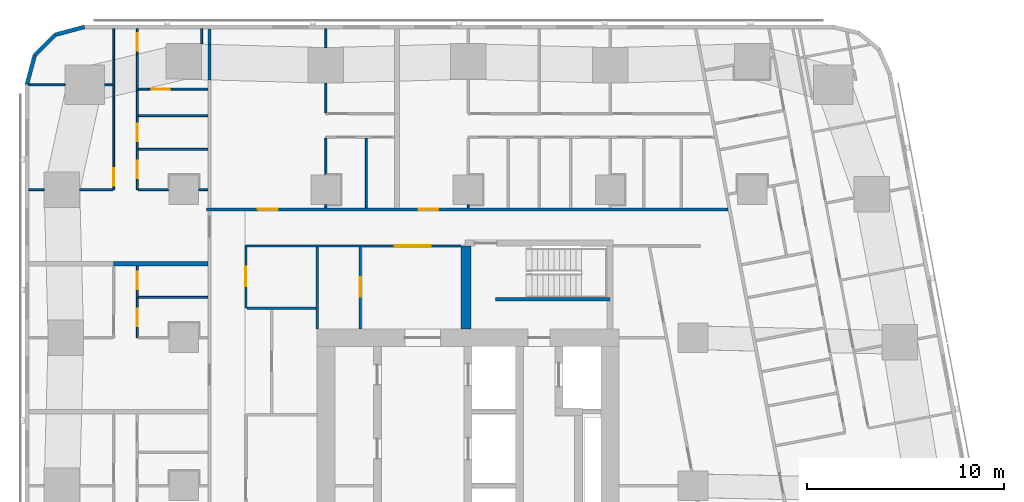
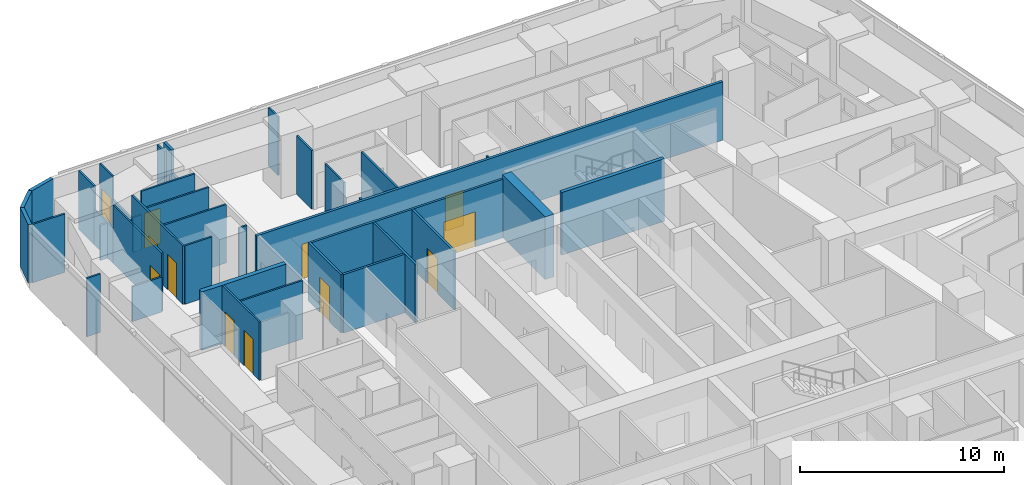
# One storey, part 9 of 15: 39 walls, 12 doors, 12 openings.
"""IFC4 building model written with IfcOpenShell, lengths in metres."""

from ifc_helpers import new_model, si_unit, direction, frame, frame_2d, origin, place, context, subcontext, project, spatial, rectangle, extrude, material, layer, layer_set, type_object, element, fill, save


model = new_model("IFC4")

# Units and contexts
model_context = context("Model", 3, precision=1e-05, world=origin(), true_north=direction((0.0, 1.0)))
body_context = subcontext(model_context, "Body", "Model", "MODEL_VIEW")
ifc_project = project(units=[si_unit("LENGTHUNIT", "METRE"), si_unit("AREAUNIT", "SQUARE_METRE"), si_unit("VOLUMEUNIT", "CUBIC_METRE"), si_unit("PLANEANGLEUNIT", "RADIAN"), si_unit("MASSUNIT", "GRAM", prefix="KILO")], contexts=[model_context])

# Site, building, storey
site_placement = place(None, origin())
site = spatial("IfcSite", under=ifc_project, at=site_placement, CompositionType="ELEMENT")
building_placement = place(site_placement, origin())
building = spatial("IfcBuilding", under=site, at=building_placement, Name="Sheger Commons Tower", CompositionType="ELEMENT")
storey_placement = place(building_placement, frame((0.0, 0.0, 143.300048828125)))
storey = spatial("IfcBuildingStorey", under=building, at=storey_placement, Name="L36", CompositionType="ELEMENT", Elevation=143.300048828125)

# Walls
ifc_material_1 = material(Name="Hollow concrete block masonry, skimmed both sides", Category="masonry")
ifc_layer_1 = layer(ifc_material_1, 0.14990234375)
ifc_layer_set_1 = layer_set([ifc_layer_1], Name="CORRIDOR WALL 150")
wall_type_1 = type_object("IfcWallType", Name="CORRIDOR WALL 150", PredefinedType="SOLIDWALL", material=ifc_layer_set_1)
wall_1_placement = place(storey_placement, frame((8.5, 43.06103515625, 0.0), z_axis=(0.0, 0.0, 1.0), x_axis=(0.0, 1.0, 0.0)))
element("IfcWall", 1, at=wall_1_placement, inside=storey, type_object=wall_type_1, Name="Corridor wall L36", PredefinedType="SOLIDWALL", context=body_context, shape_type="SweptSolid", body=[
    extrude(rectangle(XDim=1.804931640625, YDim=0.14990234375, at=frame_2d((0.90234375, 0.0))), origin(), (0.0, 0.0, 1.0), 2.099853515625),
])
wall_2_placement = place(storey_placement, frame((8.5, 44.865966796875, 0.0), z_axis=(0.0, 0.0, 1.0), x_axis=(0.0, 1.0, 0.0)))
element("IfcWall", 2, at=wall_2_placement, inside=storey, type_object=wall_type_1, Name="Corridor wall L36", PredefinedType="SOLIDWALL", context=body_context, shape_type="SweptSolid", body=[
    extrude(rectangle(XDim=0.783935546875, YDim=0.14990234375, at=frame_2d((0.39208984375, 0.0))), origin(), (0.0, 0.0, 1.0), 3.5),
])

# Wall, openings, doors
wall_3_placement = place(storey_placement, frame((8.35009765625, 36.5, 0.0), z_axis=(0.0, 0.0, 1.0), x_axis=(1.0, 0.0, 0.0)))
wall_3 = element("IfcWall", 3, at=wall_3_placement, inside=storey, type_object=wall_type_1, Name="Corridor wall L36", PredefinedType="SOLIDWALL", context=body_context, shape_type="SweptSolid", body=[
    extrude(rectangle(XDim=26.414794921875, YDim=0.14990234375, at=frame_2d((13.20751953125, 0.0))), origin(), (0.0, 0.0, 1.0), 3.5),
])
opening_1_placement = place(wall_3_placement, frame((2.60009765625, 0.0, 0.0)))
opening_1 = element("IfcOpeningElement", 4, at=opening_1_placement, cuts=wall_3, Name="Opening D1", PredefinedType="OPENING", context=body_context, shape_type="SweptSolid", body=[
    extrude(rectangle(XDim=1.0, YDim=2.10009765625, at=frame_2d((0.5, 1.050048828125))), frame((0.0, 0.0849609375, 0.0), z_axis=(0.0, -1.0, 0.0), x_axis=(1.0, 0.0, 0.0)), (0.0, 0.0, 1.0), 0.169921875),
])
opening_2_placement = place(wall_3_placement, frame((10.75, 0.0, 0.0)))
opening_2 = element("IfcOpeningElement", 5, at=opening_2_placement, cuts=wall_3, Name="Opening D1", PredefinedType="OPENING", context=body_context, shape_type="SweptSolid", body=[
    extrude(rectangle(XDim=1.0, YDim=2.10009765625, at=frame_2d((0.5, 1.050048828125))), frame((0.0, 0.0849609375, 0.0), z_axis=(0.0, -1.0, 0.0), x_axis=(1.0, 0.0, 0.0)), (0.0, 0.0, 1.0), 0.169921875),
])
ifc_material_2 = material(Name="Steel door set, fire rated", Category="steel")
door_type_1 = type_object("IfcDoorType", Name="FLAT ENTRANCE DOOR 1000x2100", OperationType="NOTDEFINED", PredefinedType="DOOR", material=ifc_material_2)
door_1_placement = place(opening_1_placement, origin())
door_1 = element("IfcDoor", 6, at=door_1_placement, inside=storey, type_object=door_type_1, Name="Flat entrance door", OperationType="SINGLE_SWING_LEFT", OverallHeight=2.10009765625, OverallWidth=1.0, PredefinedType="DOOR", context=body_context, shape_type="SweptSolid", body=[
    extrude(rectangle(XDim=1.0, YDim=2.10009765625, at=frame_2d((0.5, 1.050048828125))), frame((0.0, 0.02490234375, 0.0), z_axis=(0.0, -1.0, 0.0), x_axis=(1.0, 0.0, 0.0)), (0.0, 0.0, 1.0), 0.050048828125),
])
fill(opening_1, door_1)
door_2_placement = place(opening_2_placement, origin())
door_2 = element("IfcDoor", 7, at=door_2_placement, inside=storey, type_object=door_type_1, Name="Flat entrance door", OperationType="SINGLE_SWING_LEFT", OverallHeight=2.10009765625, OverallWidth=1.0, PredefinedType="DOOR", context=body_context, shape_type="SweptSolid", body=[
    extrude(rectangle(XDim=1.0, YDim=2.10009765625, at=frame_2d((0.5, 1.050048828125))), frame((0.0, 0.02490234375, 0.0), z_axis=(0.0, -1.0, 0.0), x_axis=(1.0, 0.0, 0.0)), (0.0, 0.0, 1.0), 0.050048828125),
])
fill(opening_2, door_2)

# Walls
ifc_material_3 = material(Name="Dense concrete block masonry, plastered both sides (separating wall between flats)", Category="masonry")
ifc_layer_2 = layer(ifc_material_3, 0.25)
ifc_layer_set_2 = layer_set([ifc_layer_2], Name="DEMISING WALL 250")
wall_type_2 = type_object("IfcWallType", Name="DEMISING WALL 250", PredefinedType="SOLIDWALL", material=ifc_layer_set_2)
wall_4_placement = place(storey_placement, frame((3.64990234375, 33.75, 0.0), z_axis=(0.0, 0.0, 1.0), x_axis=(1.0, 0.0, 0.0)))
element("IfcWall", 8, at=wall_4_placement, inside=storey, type_object=wall_type_2, Name="Demising wall L36", PredefinedType="SOLIDWALL", context=body_context, shape_type="SweptSolid", body=[
    extrude(rectangle(XDim=4.775146484375, YDim=0.25, at=frame_2d((2.3876953125, 0.0))), origin(), (0.0, 0.0, 1.0), 3.5),
])
ifc_material_4 = material(Name="Rendered concrete block masonry, dark grey", Category="masonry")
ifc_layer_3 = layer(ifc_material_4, 0.199951171875)
ifc_layer_set_3 = layer_set([ifc_layer_3], Name="FACADE WALL 200")
wall_type_3 = type_object("IfcWallType", Name="FACADE WALL 200", PredefinedType="SOLIDWALL", material=ifc_layer_set_3)
wall_5_placement = place(storey_placement, frame((2.1630859375, 45.75, 0.0), z_axis=(0.0, 0.0, 1.0), x_axis=(-0.965832000415, -0.259168954497, 0.0)))
element("IfcWall", 9, at=wall_5_placement, inside=storey, type_object=wall_type_3, Name="Facade wall L36", PredefinedType="SOLIDWALL", context=body_context, shape_type="SweptSolid", body=[
    extrude(rectangle(XDim=1.512939453125, YDim=0.199951171875, at=frame_2d((0.75634765625, 0.0))), origin(), (0.0, 0.0, 1.0), 3.5),
])
wall_6_placement = place(storey_placement, frame((0.701904296875, 45.35791015625, 0.0), z_axis=(0.0, 0.0, 1.0), x_axis=(-0.707106781187, -0.707106781187, 0.0)))
element("IfcWall", 10, at=wall_6_placement, inside=storey, type_object=wall_type_3, Name="Facade wall L36", PredefinedType="SOLIDWALL", context=body_context, shape_type="SweptSolid", body=[
    extrude(rectangle(XDim=1.498779296875, YDim=0.199951171875, at=frame_2d((0.74951171875, 0.0))), origin(), (0.0, 0.0, 1.0), 3.5),
])
wall_7_placement = place(storey_placement, frame((-0.35791015625, 44.298095703125, 0.0), z_axis=(0.0, 0.0, 1.0), x_axis=(-0.259168954497, -0.965832000415, 0.0)))
element("IfcWall", 11, at=wall_7_placement, inside=storey, type_object=wall_type_3, Name="Facade wall L36", PredefinedType="SOLIDWALL", context=body_context, shape_type="SweptSolid", body=[
    extrude(rectangle(XDim=1.512939453125, YDim=0.199951171875, at=frame_2d((0.75634765625, 0.0))), origin(), (0.0, 0.0, 1.0), 3.5),
])
ifc_material_5 = material(Name="Gypsum board on steel studs", Category="steel")
ifc_layer_4 = layer(ifc_material_5, 0.10009765625)
ifc_layer_set_4 = layer_set([ifc_layer_4], Name="PARTITION 100")
wall_type_4 = type_object("IfcWallType", Name="PARTITION 100", PredefinedType="PARTITIONING", material=ifc_layer_set_4)
wall_8_placement = place(storey_placement, frame((8.10009765625, 45.64990234375, 0.0), z_axis=(0.0, 0.0, 1.0), x_axis=(0.0, -1.0, 0.0)))
element("IfcWall", 12, at=wall_8_placement, inside=storey, type_object=wall_type_4, Name="Partition L36", PredefinedType="PARTITIONING", context=body_context, shape_type="SweptSolid", body=[
    extrude(rectangle(XDim=0.7490234375, YDim=0.10009765625, at=frame_2d((0.37451171875, 0.0))), origin(), (0.0, 0.0, 1.0), 3.5),
])

# Wall, openings, doors
wall_9_placement = place(storey_placement, frame((4.85009765625, 30.0, 0.0), z_axis=(0.0, 0.0, 1.0), x_axis=(0.0, 1.0, 0.0)))
wall_9 = element("IfcWall", 13, at=wall_9_placement, inside=storey, type_object=wall_type_4, Name="Partition L36", PredefinedType="PARTITIONING", context=body_context, shape_type="SweptSolid", body=[
    extrude(rectangle(XDim=3.625, YDim=0.10009765625, at=frame_2d((1.8125, 0.0))), origin(), (0.0, 0.0, 1.0), 3.5),
])
opening_3_placement = place(wall_9_placement, frame((0.574951171875, 0.0, 0.0)))
opening_3 = element("IfcOpeningElement", 14, at=opening_3_placement, cuts=wall_9, Name="Opening D2", PredefinedType="OPENING", context=body_context, shape_type="SweptSolid", body=[
    extrude(rectangle(XDim=0.89990234375, YDim=2.10009765625, at=frame_2d((0.449951171875, 1.050048828125))), frame((0.0, 0.06005859375, 0.0), z_axis=(0.0, -1.0, 0.0), x_axis=(1.0, 0.0, 0.0)), (0.0, 0.0, 1.0), 0.1201171875),
])
opening_4_placement = place(wall_9_placement, frame((2.449951171875, 0.0, 0.0)))
opening_4 = element("IfcOpeningElement", 15, at=opening_4_placement, cuts=wall_9, Name="Opening D2", PredefinedType="OPENING", context=body_context, shape_type="SweptSolid", body=[
    extrude(rectangle(XDim=0.89990234375, YDim=2.10009765625, at=frame_2d((0.449951171875, 1.050048828125))), frame((0.0, 0.06005859375, 0.0), z_axis=(0.0, -1.0, 0.0), x_axis=(1.0, 0.0, 0.0)), (0.0, 0.0, 1.0), 0.1201171875),
])
ifc_material_6 = material(Name="Timber door set", Category="wood")
door_type_2 = type_object("IfcDoorType", Name="INTERNAL DOOR 900x2100", OperationType="NOTDEFINED", PredefinedType="DOOR", material=ifc_material_6)
door_3_placement = place(opening_3_placement, origin())
door_3 = element("IfcDoor", 16, at=door_3_placement, inside=storey, type_object=door_type_2, Name="Bathroom door", OperationType="SINGLE_SWING_RIGHT", OverallHeight=2.10009765625, OverallWidth=0.89990234375, PredefinedType="DOOR", context=body_context, shape_type="SweptSolid", body=[
    extrude(rectangle(XDim=0.89990234375, YDim=2.10009765625, at=frame_2d((0.449951171875, 1.050048828125))), frame((0.0, 0.02490234375, 0.0), z_axis=(0.0, -1.0, 0.0), x_axis=(1.0, 0.0, 0.0)), (0.0, 0.0, 1.0), 0.050048828125),
])
fill(opening_3, door_3)
door_4_placement = place(opening_4_placement, origin())
door_4 = element("IfcDoor", 17, at=door_4_placement, inside=storey, type_object=door_type_2, Name="Store door", OperationType="SINGLE_SWING_LEFT", OverallHeight=2.10009765625, OverallWidth=0.89990234375, PredefinedType="DOOR", context=body_context, shape_type="SweptSolid", body=[
    extrude(rectangle(XDim=0.89990234375, YDim=2.10009765625, at=frame_2d((0.449951171875, 1.050048828125))), frame((0.0, 0.02490234375, 0.0), z_axis=(0.0, -1.0, 0.0), x_axis=(1.0, 0.0, 0.0)), (0.0, 0.0, 1.0), 0.050048828125),
])
fill(opening_4, door_4)

# Wall
wall_10_placement = place(storey_placement, frame((4.89990234375, 32.050048828125, 0.0), z_axis=(0.0, 0.0, 1.0), x_axis=(1.0, 0.0, 0.0)))
element("IfcWall", 18, at=wall_10_placement, inside=storey, type_object=wall_type_4, Name="Partition L36", PredefinedType="PARTITIONING", context=body_context, shape_type="SweptSolid", body=[
    extrude(rectangle(XDim=3.525146484375, YDim=0.10009765625, at=frame_2d((1.7626953125, 0.0))), origin(), (0.0, 0.0, 1.0), 3.5),
])

# Wall, opening, door
wall_11_placement = place(storey_placement, frame((3.64990234375, 37.5, 0.0), z_axis=(0.0, 0.0, 1.0), x_axis=(0.0, 1.0, 0.0)))
wall_11 = element("IfcWall", 19, at=wall_11_placement, inside=storey, type_object=wall_type_4, Name="Partition L36", PredefinedType="PARTITIONING", context=body_context, shape_type="SweptSolid", body=[
    extrude(rectangle(XDim=4.72412109375, YDim=0.10009765625, at=frame_2d((2.362060546875, 0.0))), origin(), (0.0, 0.0, 1.0), 3.5),
])
opening_5_placement = place(wall_11_placement, frame((0.199951171875, 0.0, 0.0)))
opening_5 = element("IfcOpeningElement", 20, at=opening_5_placement, cuts=wall_11, Name="Opening D2", PredefinedType="OPENING", context=body_context, shape_type="SweptSolid", body=[
    extrude(rectangle(XDim=0.89990234375, YDim=2.10009765625, at=frame_2d((0.449951171875, 1.050048828125))), frame((0.0, 0.06005859375, 0.0), z_axis=(0.0, -1.0, 0.0), x_axis=(1.0, 0.0, 0.0)), (0.0, 0.0, 1.0), 0.1201171875),
])
door_5_placement = place(opening_5_placement, origin())
door_5 = element("IfcDoor", 21, at=door_5_placement, inside=storey, type_object=door_type_2, Name="Main bedroom door", OperationType="SINGLE_SWING_LEFT", OverallHeight=2.10009765625, OverallWidth=0.89990234375, PredefinedType="DOOR", context=body_context, shape_type="SweptSolid", body=[
    extrude(rectangle(XDim=0.89990234375, YDim=2.10009765625, at=frame_2d((0.449951171875, 1.050048828125))), frame((0.0, 0.02490234375, 0.0), z_axis=(0.0, -1.0, 0.0), x_axis=(1.0, 0.0, 0.0)), (0.0, 0.0, 1.0), 0.050048828125),
])
fill(opening_5, door_5)

# Walls
wall_12_placement = place(storey_placement, frame((3.64990234375, 42.22412109375, 0.0), z_axis=(0.0, 0.0, 1.0), x_axis=(0.0, 1.0, 0.0)))
element("IfcWall", 22, at=wall_12_placement, inside=storey, type_object=wall_type_4, Name="Partition L36", PredefinedType="PARTITIONING", context=body_context, shape_type="SweptSolid", body=[
    extrude(rectangle(XDim=1.872802734375, YDim=0.10009765625, at=frame_2d((0.9365234375, 0.0))), origin(), (0.0, 0.0, 1.0), 2.099853515625),
])
wall_13_placement = place(storey_placement, frame((3.64990234375, 44.096923828125, 0.0), z_axis=(0.0, 0.0, 1.0), x_axis=(0.0, 1.0, 0.0)))
element("IfcWall", 23, at=wall_13_placement, inside=storey, type_object=wall_type_4, Name="Partition L36", PredefinedType="PARTITIONING", context=body_context, shape_type="SweptSolid", body=[
    extrude(rectangle(XDim=1.552978515625, YDim=0.10009765625, at=frame_2d((0.7763671875, 0.0))), origin(), (0.0, 0.0, 1.0), 3.5),
])

# Wall, openings, doors
wall_14_placement = place(storey_placement, frame((4.85009765625, 37.5, 0.0), z_axis=(0.0, 0.0, 1.0), x_axis=(0.0, 1.0, 0.0)))
wall_14 = element("IfcWall", 24, at=wall_14_placement, inside=storey, type_object=wall_type_4, Name="Partition L36", PredefinedType="PARTITIONING", context=body_context, shape_type="SweptSolid", body=[
    extrude(rectangle(XDim=5.007080078125, YDim=0.10009765625, at=frame_2d((2.50341796875, 0.0))), origin(), (0.0, 0.0, 1.0), 3.5),
])
opening_6_placement = place(wall_14_placement, frame((0.574951171875, 0.0, 0.0)))
opening_6 = element("IfcOpeningElement", 25, at=opening_6_placement, cuts=wall_14, Name="Opening D2", PredefinedType="OPENING", context=body_context, shape_type="SweptSolid", body=[
    extrude(rectangle(XDim=0.89990234375, YDim=2.10009765625, at=frame_2d((0.449951171875, 1.050048828125))), frame((0.0, 0.06005859375, 0.0), z_axis=(0.0, -1.0, 0.0), x_axis=(1.0, 0.0, 0.0)), (0.0, 0.0, 1.0), 0.1201171875),
])
opening_7_placement = place(wall_14_placement, frame((2.449951171875, 0.0, 0.0)))
opening_7 = element("IfcOpeningElement", 26, at=opening_7_placement, cuts=wall_14, Name="Opening D2", PredefinedType="OPENING", context=body_context, shape_type="SweptSolid", body=[
    extrude(rectangle(XDim=0.89990234375, YDim=2.10009765625, at=frame_2d((0.449951171875, 1.050048828125))), frame((0.0, 0.06005859375, 0.0), z_axis=(0.0, -1.0, 0.0), x_axis=(1.0, 0.0, 0.0)), (0.0, 0.0, 1.0), 0.1201171875),
])
door_6_placement = place(opening_6_placement, origin())
door_6 = element("IfcDoor", 27, at=door_6_placement, inside=storey, type_object=door_type_2, Name="Bathroom door", OperationType="SINGLE_SWING_RIGHT", OverallHeight=2.10009765625, OverallWidth=0.89990234375, PredefinedType="DOOR", context=body_context, shape_type="SweptSolid", body=[
    extrude(rectangle(XDim=0.89990234375, YDim=2.10009765625, at=frame_2d((0.449951171875, 1.050048828125))), frame((0.0, 0.02490234375, 0.0), z_axis=(0.0, -1.0, 0.0), x_axis=(1.0, 0.0, 0.0)), (0.0, 0.0, 1.0), 0.050048828125),
])
fill(opening_6, door_6)
door_7_placement = place(opening_7_placement, origin())
door_7 = element("IfcDoor", 28, at=door_7_placement, inside=storey, type_object=door_type_2, Name="Store door", OperationType="SINGLE_SWING_RIGHT", OverallHeight=2.10009765625, OverallWidth=0.89990234375, PredefinedType="DOOR", context=body_context, shape_type="SweptSolid", body=[
    extrude(rectangle(XDim=0.89990234375, YDim=2.10009765625, at=frame_2d((0.449951171875, 1.050048828125))), frame((0.0, 0.02490234375, 0.0), z_axis=(0.0, -1.0, 0.0), x_axis=(1.0, 0.0, 0.0)), (0.0, 0.0, 1.0), 0.050048828125),
])
fill(opening_7, door_7)

# Wall
wall_15_placement = place(storey_placement, frame((4.85009765625, 42.507080078125, 0.0), z_axis=(0.0, 0.0, 1.0), x_axis=(0.0, 1.0, 0.0)))
element("IfcWall", 29, at=wall_15_placement, inside=storey, type_object=wall_type_4, Name="Partition L36", PredefinedType="PARTITIONING", context=body_context, shape_type="SweptSolid", body=[
    extrude(rectangle(XDim=1.8740234375, YDim=0.10009765625, at=frame_2d((0.93701171875, 0.0))), origin(), (0.0, 0.0, 1.0), 2.099853515625),
])

# Wall, opening, door
wall_16_placement = place(storey_placement, frame((4.85009765625, 44.381103515625, 0.0), z_axis=(0.0, 0.0, 1.0), x_axis=(0.0, 1.0, 0.0)))
wall_16 = element("IfcWall", 30, at=wall_16_placement, inside=storey, type_object=wall_type_4, Name="Partition L36", PredefinedType="PARTITIONING", context=body_context, shape_type="SweptSolid", body=[
    extrude(rectangle(XDim=1.268798828125, YDim=0.10009765625, at=frame_2d((0.63427734375, 0.0))), origin(), (0.0, 0.0, 1.0), 3.5),
])
opening_8_placement = place(wall_16_placement, frame((0.14990234375, 0.0, 0.0)))
opening_8 = element("IfcOpeningElement", 31, at=opening_8_placement, cuts=wall_16, Name="Opening D2", PredefinedType="OPENING", context=body_context, shape_type="SweptSolid", body=[
    extrude(rectangle(XDim=0.89990234375, YDim=2.10009765625, at=frame_2d((0.449951171875, 1.050048828125))), frame((0.0, 0.06005859375, 0.0), z_axis=(0.0, -1.0, 0.0), x_axis=(1.0, 0.0, 0.0)), (0.0, 0.0, 1.0), 0.1201171875),
])
door_8_placement = place(opening_8_placement, origin())
door_8 = element("IfcDoor", 32, at=door_8_placement, inside=storey, type_object=door_type_2, Name="Store and laundry door", OperationType="SINGLE_SWING_RIGHT", OverallHeight=2.10009765625, OverallWidth=0.89990234375, PredefinedType="DOOR", context=body_context, shape_type="SweptSolid", body=[
    extrude(rectangle(XDim=0.89990234375, YDim=2.10009765625, at=frame_2d((0.449951171875, 1.050048828125))), frame((0.0, 0.02490234375, 0.0), z_axis=(0.0, -1.0, 0.0), x_axis=(1.0, 0.0, 0.0)), (0.0, 0.0, 1.0), 0.050048828125),
])
fill(opening_8, door_8)

# Walls
wall_17_placement = place(storey_placement, frame((-0.64990234375, 37.5, 0.0), z_axis=(0.0, 0.0, 1.0), x_axis=(1.0, 0.0, 0.0)))
element("IfcWall", 33, at=wall_17_placement, inside=storey, type_object=wall_type_4, Name="Partition L36", PredefinedType="PARTITIONING", context=body_context, shape_type="SweptSolid", body=[
    extrude(rectangle(XDim=0.77392578125, YDim=0.10009765625, at=frame_2d((0.386962890625, 0.0))), origin(), (0.0, 0.0, 1.0), 3.5),
])
wall_18_placement = place(storey_placement, frame((1.926025390625, 37.5, 0.0), z_axis=(0.0, 0.0, 1.0), x_axis=(1.0, 0.0, 0.0)))
element("IfcWall", 34, at=wall_18_placement, inside=storey, type_object=wall_type_4, Name="Partition L36", PredefinedType="PARTITIONING", context=body_context, shape_type="SweptSolid", body=[
    extrude(rectangle(XDim=1.674072265625, YDim=0.10009765625, at=frame_2d((0.8369140625, 0.0))), origin(), (0.0, 0.0, 1.0), 2.099853515625),
])
wall_19_placement = place(storey_placement, frame((-0.64990234375, 42.81396484375, 0.0), z_axis=(0.0, 0.0, 1.0), x_axis=(1.0, 0.0, 0.0)))
element("IfcWall", 35, at=wall_19_placement, inside=storey, type_object=wall_type_4, Name="Partition L36", PredefinedType="PARTITIONING", context=body_context, shape_type="SweptSolid", body=[
    extrude(rectangle(XDim=1.8349609375, YDim=0.10009765625, at=frame_2d((0.91748046875, 0.0))), origin(), (0.0, 0.0, 1.0), 3.5),
])
wall_20_placement = place(storey_placement, frame((3.18701171875, 42.81396484375, 0.0), z_axis=(0.0, 0.0, 1.0), x_axis=(1.0, 0.0, 0.0)))
element("IfcWall", 36, at=wall_20_placement, inside=storey, type_object=wall_type_4, Name="Partition L36", PredefinedType="PARTITIONING", context=body_context, shape_type="SweptSolid", body=[
    extrude(rectangle(XDim=0.4130859375, YDim=0.10009765625, at=frame_2d((0.20654296875, 0.0))), origin(), (0.0, 0.0, 1.0), 2.099853515625),
])
wall_21_placement = place(storey_placement, frame((4.89990234375, 37.5, 0.0), z_axis=(0.0, 0.0, 1.0), x_axis=(1.0, 0.0, 0.0)))
element("IfcWall", 37, at=wall_21_placement, inside=storey, type_object=wall_type_4, Name="Partition L36", PredefinedType="PARTITIONING", context=body_context, shape_type="SweptSolid", body=[
    extrude(rectangle(XDim=1.549072265625, YDim=0.10009765625, at=frame_2d((0.7744140625, 0.0))), origin(), (0.0, 0.0, 1.0), 3.5),
])
wall_22_placement = place(storey_placement, frame((7.950927734375, 37.5, 0.0), z_axis=(0.0, 0.0, 1.0), x_axis=(1.0, 0.0, 0.0)))
element("IfcWall", 38, at=wall_22_placement, inside=storey, type_object=wall_type_4, Name="Partition L36", PredefinedType="PARTITIONING", context=body_context, shape_type="SweptSolid", body=[
    extrude(rectangle(XDim=0.47412109375, YDim=0.10009765625, at=frame_2d((0.237060546875, 0.0))), origin(), (0.0, 0.0, 1.0), 3.5),
])
for number, where, z_axis, x_axis, name in (
    (39, (4.89990234375, 41.25, 0.0), (0.0, 0.0, 1.0), (1.0, 0.0, 0.0), "Partition L36"),
    (40, (4.89990234375, 39.550048828125, 0.0), (0.0, 0.0, 1.0), (1.0, 0.0, 0.0), "Partition L36"),
):
    element("IfcWall", number, at=place(storey_placement, frame(where, z_axis=z_axis, x_axis=x_axis)), inside=storey, type_object=wall_type_4, Name=name, PredefinedType="PARTITIONING", context=body_context, shape_type="SweptSolid", body=[
        extrude(rectangle(XDim=3.525146484375, YDim=0.10009765625, at=frame_2d((1.7626953125, 0.0))), origin(), (0.0, 0.0, 1.0), 3.5),
    ])
wall_23_placement = place(storey_placement, frame((14.39990234375, 41.39990234375, 0.0), z_axis=(0.0, 0.0, 1.0), x_axis=(0.0, 1.0, 0.0)))
element("IfcWall", 41, at=wall_23_placement, inside=storey, type_object=wall_type_4, Name="Partition L36", PredefinedType="PARTITIONING", context=body_context, shape_type="SweptSolid", body=[
    extrude(rectangle(XDim=1.4990234375, YDim=0.10009765625, at=frame_2d((0.74951171875, 0.0))), origin(), (0.0, 0.0, 1.0), 3.5),
])
wall_24_placement = place(storey_placement, frame((14.39990234375, 44.700927734375, 0.0), z_axis=(0.0, 0.0, 1.0), x_axis=(0.0, 1.0, 0.0)))
element("IfcWall", 42, at=wall_24_placement, inside=storey, type_object=wall_type_4, Name="Partition L36", PredefinedType="PARTITIONING", context=body_context, shape_type="SweptSolid", body=[
    extrude(rectangle(XDim=0.948974609375, YDim=0.10009765625, at=frame_2d((0.474609375, 0.0))), origin(), (0.0, 0.0, 1.0), 3.5),
])
wall_25_placement = place(storey_placement, frame((14.39990234375, 36.574951171875, 0.0), z_axis=(0.0, 0.0, 1.0), x_axis=(0.0, 1.0, 0.0)))
element("IfcWall", 43, at=wall_25_placement, inside=storey, type_object=wall_type_4, Name="Partition L36", PredefinedType="PARTITIONING", context=body_context, shape_type="SweptSolid", body=[
    extrude(rectangle(XDim=0.174072265625, YDim=0.10009765625, at=frame_2d((0.0869140625, 0.0))), origin(), (0.0, 0.0, 1.0), 3.5),
])
wall_26_placement = place(storey_placement, frame((14.39990234375, 38.2509765625, 0.0), z_axis=(0.0, 0.0, 1.0), x_axis=(0.0, 1.0, 0.0)))
element("IfcWall", 44, at=wall_26_placement, inside=storey, type_object=wall_type_4, Name="Partition L36", PredefinedType="PARTITIONING", context=body_context, shape_type="SweptSolid", body=[
    extrude(rectangle(XDim=1.84912109375, YDim=0.10009765625, at=frame_2d((0.924560546875, 0.0))), origin(), (0.0, 0.0, 1.0), 3.5),
])
wall_27_placement = place(storey_placement, frame((16.449951171875, 36.574951171875, 0.0), z_axis=(0.0, 0.0, 1.0), x_axis=(0.0, 1.0, 0.0)))
element("IfcWall", 45, at=wall_27_placement, inside=storey, type_object=wall_type_4, Name="Partition L36", PredefinedType="PARTITIONING", context=body_context, shape_type="SweptSolid", body=[
    extrude(rectangle(XDim=3.525146484375, YDim=0.10009765625, at=frame_2d((1.7626953125, 0.0))), origin(), (0.0, 0.0, 1.0), 3.5),
])
wall_28_placement = place(storey_placement, frame((21.60009765625, 36.574951171875, 0.0), z_axis=(0.0, 0.0, 1.0), x_axis=(0.0, 1.0, 0.0)))
element("IfcWall", 46, at=wall_28_placement, inside=storey, type_object=wall_type_4, Name="Partition L36", PredefinedType="PARTITIONING", context=body_context, shape_type="SweptSolid", body=[
    extrude(rectangle(XDim=0.174072265625, YDim=0.10009765625, at=frame_2d((0.0869140625, 0.0))), origin(), (0.0, 0.0, 1.0), 3.5),
])

# Wall, opening, door
wall_29_placement = place(storey_placement, frame((8.425048828125, 42.60009765625, 0.0), z_axis=(0.0, 0.0, 1.0), x_axis=(-1.0, 0.0, 0.0)))
wall_29 = element("IfcWall", 47, at=wall_29_placement, inside=storey, type_object=wall_type_4, Name="Partition L36", PredefinedType="PARTITIONING", context=body_context, shape_type="SweptSolid", body=[
    extrude(rectangle(XDim=3.02197265625, YDim=0.10009765625, at=frame_2d((1.510986328125, 0.0))), origin(), (0.0, 0.0, 1.0), 3.5),
])
opening_9_placement = place(wall_29_placement, frame((1.949951171875, 0.0, 0.0)))
opening_9 = element("IfcOpeningElement", 48, at=opening_9_placement, cuts=wall_29, Name="Opening D2", PredefinedType="OPENING", context=body_context, shape_type="SweptSolid", body=[
    extrude(rectangle(XDim=0.89990234375, YDim=2.10009765625, at=frame_2d((0.449951171875, 1.050048828125))), frame((0.0, 0.06005859375, 0.0), z_axis=(0.0, -1.0, 0.0), x_axis=(1.0, 0.0, 0.0)), (0.0, 0.0, 1.0), 0.1201171875),
])
door_9_placement = place(opening_9_placement, origin())
door_9 = element("IfcDoor", 49, at=door_9_placement, inside=storey, type_object=door_type_2, Name="Store door", OperationType="SINGLE_SWING_RIGHT", OverallHeight=2.10009765625, OverallWidth=0.89990234375, PredefinedType="DOOR", context=body_context, shape_type="SweptSolid", body=[
    extrude(rectangle(XDim=0.89990234375, YDim=2.10009765625, at=frame_2d((0.449951171875, 1.050048828125))), frame((0.0, 0.02490234375, 0.0), z_axis=(0.0, -1.0, 0.0), x_axis=(1.0, 0.0, 0.0)), (0.0, 0.0, 1.0), 0.050048828125),
])
fill(opening_9, door_9)

# Wall
wall_30_placement = place(storey_placement, frame((5.403076171875, 42.60009765625, 0.0), z_axis=(0.0, 0.0, 1.0), x_axis=(-1.0, 0.0, 0.0)))
element("IfcWall", 50, at=wall_30_placement, inside=storey, type_object=wall_type_4, Name="Partition L36", PredefinedType="PARTITIONING", context=body_context, shape_type="SweptSolid", body=[
    extrude(rectangle(XDim=0.503173828125, YDim=0.10009765625, at=frame_2d((0.25146484375, 0.0))), origin(), (0.0, 0.0, 1.0), 2.099853515625),
])

# Wall, opening, door
ifc_material_7 = material(Name="Gypsum board on steel studs, two layers each side, fire rated", Category="steel")
ifc_layer_5 = layer(ifc_material_7, 0.125)
ifc_layer_set_5 = layer_set([ifc_layer_5], Name="SERVICE WALL 125")
wall_type_5 = type_object("IfcWallType", Name="SERVICE WALL 125", PredefinedType="PARTITIONING", material=ifc_layer_set_5)
wall_31_placement = place(storey_placement, frame((10.35009765625, 31.5, 0.0), z_axis=(0.0, 0.0, 1.0), x_axis=(0.0, 1.0, 0.0)))
wall_31 = element("IfcWall", 51, at=wall_31_placement, inside=storey, type_object=wall_type_5, Name="Service room wall L36", PredefinedType="PARTITIONING", context=body_context, shape_type="SweptSolid", body=[
    extrude(rectangle(XDim=3.199951171875, YDim=0.125, at=frame_2d((1.60009765625, 0.0))), origin(), (0.0, 0.0, 1.0), 3.5),
])
opening_10_placement = place(wall_31_placement, frame((1.10009765625, 0.0, 0.0)))
opening_10 = element("IfcOpeningElement", 52, at=opening_10_placement, cuts=wall_31, Name="Opening D4", PredefinedType="OPENING", context=body_context, shape_type="SweptSolid", body=[
    extrude(rectangle(XDim=1.0, YDim=2.10009765625, at=frame_2d((0.5, 1.050048828125))), frame((0.0, 0.072509765625, 0.0), z_axis=(0.0, -1.0, 0.0), x_axis=(1.0, 0.0, 0.0)), (0.0, 0.0, 1.0), 0.14501953125),
])
ifc_material_8 = material(Name="Steel door set, fire rated", Category="steel")
door_type_3 = type_object("IfcDoorType", Name="SERVICE DOOR 1000x2100", OperationType="NOTDEFINED", PredefinedType="DOOR", material=ifc_material_8)
door_10_placement = place(opening_10_placement, origin())
door_10 = element("IfcDoor", 53, at=door_10_placement, inside=storey, type_object=door_type_3, Name="Cleaner's store door", OperationType="SINGLE_SWING_RIGHT", OverallHeight=2.10009765625, OverallWidth=1.0, PredefinedType="DOOR", context=body_context, shape_type="SweptSolid", body=[
    extrude(rectangle(XDim=1.0, YDim=2.10009765625, at=frame_2d((0.5, 1.050048828125))), frame((0.0, 0.02490234375, 0.0), z_axis=(0.0, -1.0, 0.0), x_axis=(1.0, 0.0, 0.0)), (0.0, 0.0, 1.0), 0.050048828125),
])
fill(opening_10, door_10)

# Walls
wall_32_placement = place(storey_placement, frame((10.4130859375, 31.5, 0.0), z_axis=(0.0, 0.0, 1.0), x_axis=(1.0, 0.0, 0.0)))
element("IfcWall", 54, at=wall_32_placement, inside=storey, type_object=wall_type_5, Name="Service room wall L36", PredefinedType="PARTITIONING", context=body_context, shape_type="SweptSolid", body=[
    extrude(rectangle(XDim=3.474853515625, YDim=0.125, at=frame_2d((1.7373046875, 0.0))), origin(), (0.0, 0.0, 1.0), 3.5),
])
wall_33_placement = place(storey_placement, frame((13.949951171875, 30.449951171875, 0.0), z_axis=(0.0, 0.0, 1.0), x_axis=(0.0, 1.0, 0.0)))
element("IfcWall", 55, at=wall_33_placement, inside=storey, type_object=wall_type_5, Name="Service room wall L36", PredefinedType="PARTITIONING", context=body_context, shape_type="SweptSolid", body=[
    extrude(rectangle(XDim=4.136962890625, YDim=0.125, at=frame_2d((2.068359375, 0.0))), origin(), (0.0, 0.0, 1.0), 3.5),
])

# Wall, opening, door
wall_34_placement = place(storey_placement, frame((10.4130859375, 34.64990234375, 0.0), z_axis=(0.0, 0.0, 1.0), x_axis=(1.0, 0.0, 0.0)))
wall_34 = element("IfcWall", 56, at=wall_34_placement, inside=storey, type_object=wall_type_5, Name="Service room wall L36", PredefinedType="PARTITIONING", context=body_context, shape_type="SweptSolid", body=[
    extrude(rectangle(XDim=10.8369140625, YDim=0.125, at=frame_2d((5.41845703125, 0.0))), origin(), (0.0, 0.0, 1.0), 3.5),
])
opening_11_placement = place(wall_34_placement, frame((7.487060546875, 0.0, 0.0)))
opening_11 = element("IfcOpeningElement", 57, at=opening_11_placement, cuts=wall_34, Name="Opening D6", PredefinedType="OPENING", context=body_context, shape_type="SweptSolid", body=[
    extrude(rectangle(XDim=1.800048828125, YDim=2.10009765625, at=frame_2d((0.89990234375, 1.050048828125))), frame((0.0, 0.072509765625, 0.0), z_axis=(0.0, -1.0, 0.0), x_axis=(1.0, 0.0, 0.0)), (0.0, 0.0, 1.0), 0.14501953125),
])
ifc_material_9 = material(Name="Steel door set, fire rated", Category="steel")
door_type_4 = type_object("IfcDoorType", Name="LOBBY DOUBLE DOOR 1800x2100", OperationType="DOUBLE_DOOR_SINGLE_SWING", PredefinedType="DOOR", material=ifc_material_9)
door_11_placement = place(opening_11_placement, origin())
door_11 = element("IfcDoor", 58, at=door_11_placement, inside=storey, type_object=door_type_4, Name="Lift lobby north door", OperationType="DOUBLE_DOOR_SINGLE_SWING", OverallHeight=2.10009765625, OverallWidth=1.800048828125, PredefinedType="DOOR", context=body_context, shape_type="SweptSolid", body=[
    extrude(rectangle(XDim=1.800048828125, YDim=2.10009765625, at=frame_2d((0.89990234375, 1.050048828125))), frame((0.0, 0.02490234375, 0.0), z_axis=(0.0, -1.0, 0.0), x_axis=(1.0, 0.0, 0.0)), (0.0, 0.0, 1.0), 0.050048828125),
])
fill(opening_11, door_11)

wall_35_placement = place(storey_placement, frame((16.14990234375, 30.449951171875, 0.0), z_axis=(0.0, 0.0, 1.0), x_axis=(0.0, 1.0, 0.0)))
wall_35 = element("IfcWall", 59, at=wall_35_placement, inside=storey, type_object=wall_type_5, Name="Service room wall L36", PredefinedType="PARTITIONING", context=body_context, shape_type="SweptSolid", body=[
    extrude(rectangle(XDim=4.136962890625, YDim=0.125, at=frame_2d((2.068359375, 0.0))), origin(), (0.0, 0.0, 1.0), 3.5),
])
opening_12_placement = place(wall_35_placement, frame((1.625, 0.0, 0.0)))
opening_12 = element("IfcOpeningElement", 60, at=opening_12_placement, cuts=wall_35, Name="Opening D4", PredefinedType="OPENING", context=body_context, shape_type="SweptSolid", body=[
    extrude(rectangle(XDim=1.0, YDim=2.10009765625, at=frame_2d((0.5, 1.050048828125))), frame((0.0, 0.072509765625, 0.0), z_axis=(0.0, -1.0, 0.0), x_axis=(1.0, 0.0, 0.0)), (0.0, 0.0, 1.0), 0.14501953125),
])
door_12_placement = place(opening_12_placement, origin())
door_12 = element("IfcDoor", 61, at=door_12_placement, inside=storey, type_object=door_type_3, Name="Telecom room door", OperationType="SINGLE_SWING_RIGHT", OverallHeight=2.10009765625, OverallWidth=1.0, PredefinedType="DOOR", context=body_context, shape_type="SweptSolid", body=[
    extrude(rectangle(XDim=1.0, YDim=2.10009765625, at=frame_2d((0.5, 1.050048828125))), frame((0.0, 0.02490234375, 0.0), z_axis=(0.0, -1.0, 0.0), x_axis=(1.0, 0.0, 0.0)), (0.0, 0.0, 1.0), 0.050048828125),
])
fill(opening_12, door_12)

# Walls
ifc_material_10 = material(Name="Concrete C50/60", Category="concrete")
ifc_layer_6 = layer(ifc_material_10, 0.5)
ifc_layer_set_6 = layer_set([ifc_layer_6], Name="STAIR CORE WALL 500")
wall_type_6 = type_object("IfcWallType", Name="STAIR CORE WALL 500", PredefinedType="SHEAR", material=ifc_layer_set_6)
wall_36_placement = place(storey_placement, frame((21.5, 30.449951171875, 0.0), z_axis=(0.0, 0.0, 1.0), x_axis=(0.0, 1.0, 0.0)))
element("IfcWall", 62, at=wall_36_placement, inside=storey, type_object=wall_type_6, Name="STW-L36-S2W", PredefinedType="SHEAR", context=body_context, shape_type="SweptSolid", body=[
    extrude(rectangle(XDim=4.199951171875, YDim=0.5, at=frame_2d((2.10009765625, 0.0))), origin(), (0.0, 0.0, 1.0), 3.75),
])
ifc_material_11 = material(Name="Concrete C50/60", Category="concrete")
ifc_layer_7 = layer(ifc_material_11, 0.199951171875)
ifc_layer_set_7 = layer_set([ifc_layer_7], Name="STAIR SPINE WALL 200")
wall_type_7 = type_object("IfcWallType", Name="STAIR SPINE WALL 200", PredefinedType="SHEAR", material=ifc_layer_set_7)
wall_37_placement = place(storey_placement, frame((23.0, 31.949951171875, 0.0), z_axis=(0.0, 0.0, 1.0), x_axis=(1.0, 0.0, 0.0)))
element("IfcWall", 63, at=wall_37_placement, inside=storey, type_object=wall_type_7, Name="Stair spine wall L36", PredefinedType="SHEAR", context=body_context, shape_type="SweptSolid", body=[
    extrude(rectangle(XDim=5.800048828125, YDim=0.199951171875, at=frame_2d((2.89990234375, 0.0))), origin(), (0.0, 0.0, 1.0), 3.75),
])

save(model, "model.ifc")
